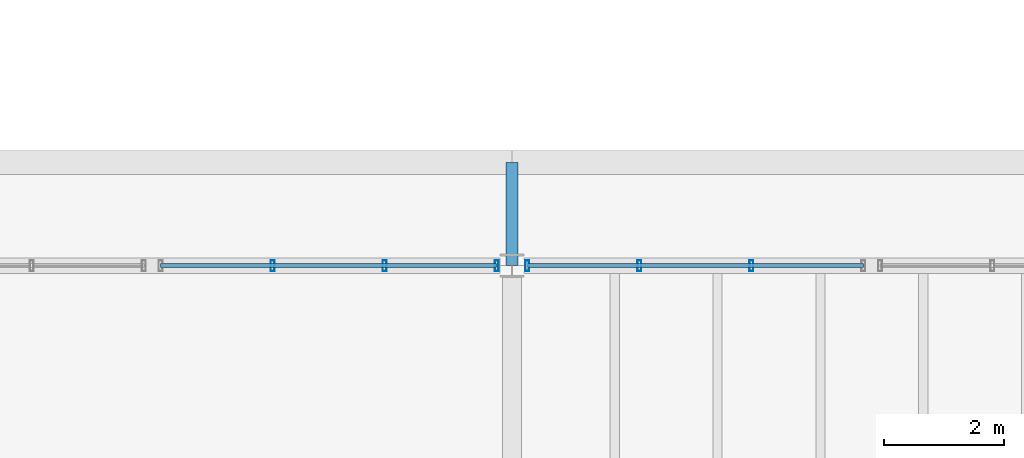
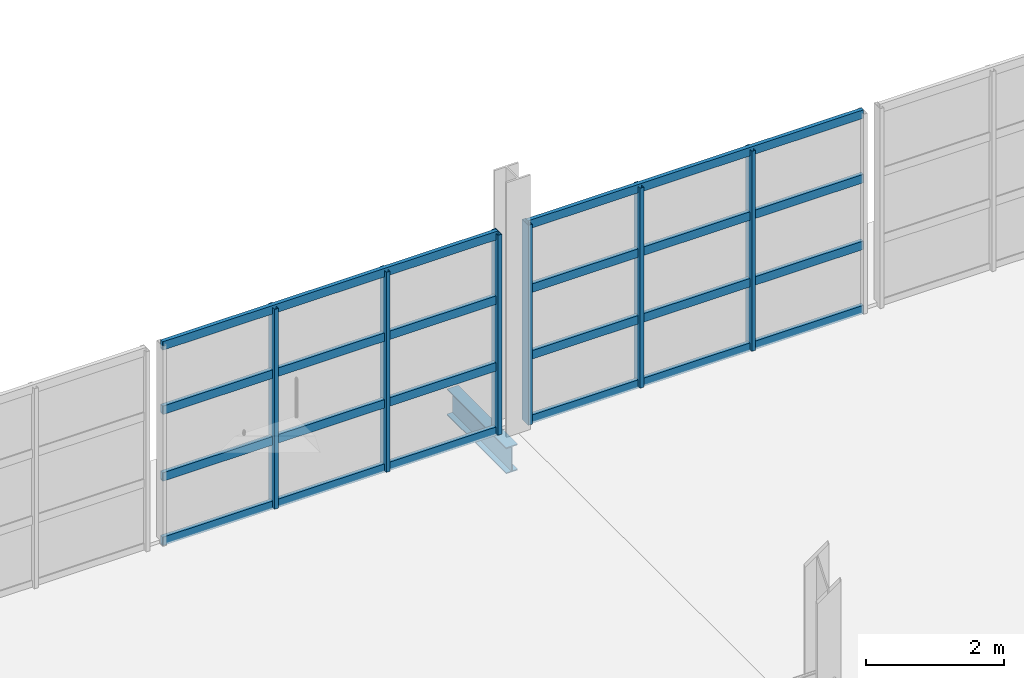
# One storey, part 45 of 114: 14 members, 1 beam, 2 elements without a shape of their own.
"""IFC4 building model written with IfcOpenShell, lengths in metres."""

from ifc_helpers import new_model, si_unit, direction, frame, origin, origin_2d, place, context, subcontext, project, spatial, hollow_rectangle, i_section, extrude, material, material_profile, profile_set, type_object, element, aggregate, save


model = new_model("IFC4")

# Units and contexts
model_context = context("Model", 3, precision=1e-05, world=origin(), true_north=direction((0.0, 1.0)))
body_context = subcontext(model_context, "Body", "Model", "MODEL_VIEW")
ifc_project = project(units=[si_unit("LENGTHUNIT", "METRE"), si_unit("AREAUNIT", "SQUARE_METRE"), si_unit("VOLUMEUNIT", "CUBIC_METRE"), si_unit("PLANEANGLEUNIT", "RADIAN"), si_unit("MASSUNIT", "GRAM", prefix="KILO")], contexts=[model_context])

# Site, building, storey
site_placement = place(None, origin())
site = spatial("IfcSite", under=ifc_project, at=site_placement, CompositionType="ELEMENT")
building_placement = place(site_placement, origin())
building = spatial("IfcBuilding", under=site, at=building_placement, Name="Kelmvaro Bay Concert Hall", CompositionType="ELEMENT")
storey_placement = place(building_placement, frame((0.0, 0.0, 4.800048828125)))
storey = spatial("IfcBuildingStorey", under=building, at=storey_placement, Name="L01", CompositionType="ELEMENT", Elevation=4.800048828125)

# Beam
ifc_material_1 = material(Name="Steel ASTM A992 Grade 50", Category="steel")
ifc_material_profile_1 = material_profile(ifc_material_1, i_section(OverallWidth=0.19189453125, OverallDepth=0.4619140625, WebThickness=0.010498046875, FlangeThickness=0.017578125, at=origin_2d()), Name="W18X60")
ifc_profile_set_1 = profile_set([ifc_material_profile_1], Name="Steel ASTM A992 Grade 50")
beam_type = type_object("IfcBeamType", Name="Canopy Primary Frame Beam W18x60", PredefinedType="BEAM", material=ifc_profile_set_1)
beam_placement = place(storey_placement, frame((84.0, 39.0, -0.571044921875), z_axis=(0.0, 1.0, 0.0), x_axis=(-1.0, 0.0, 0.0)))
element("IfcBeam", 1, at=beam_placement, inside=storey, type_object=beam_type, Name="Storm Eave Cantilever Bracket CRT-17", PredefinedType="BEAM", context=body_context, shape_type="SweptSolid", body=[
    extrude(i_section(OverallWidth=0.19189453125, OverallDepth=0.4619140625, WebThickness=0.010498046875, FlangeThickness=0.017578125, at=origin_2d()), origin(), (0.0, 0.0, 1.0), 1.719970703125),
])

# Curtain wall, members
ifc_material_2 = material(Name="Anodised Aluminium and Low-E Insulated Glazing", Category="aluminium")
curtain_wall_type = type_object("IfcCurtainWallType", Name="Mezzanine Concourse Curtain Wall 4100", PredefinedType="USERDEFINED", material=ifc_material_2)
curtain_wall_1_placement = place(storey_placement, origin())
curtain_wall_1 = element("IfcCurtainWall", 2, at=curtain_wall_1_placement, inside=storey, type_object=curtain_wall_type, Name="Unitised Curtain Wall CW-L01-071", ObjectType="UNITISED GLAZING", PredefinedType="USERDEFINED")
ifc_material_3 = material(Name="Anodised Extruded Aluminium 6063-T6", Category="aluminium")
ifc_material_profile_2 = material_profile(ifc_material_3, hollow_rectangle(XDim=0.06494140625, YDim=0.179931640625, WallThickness=0.00390625, at=origin_2d()), Name="ALU-MUL-180X65")
ifc_profile_set_2 = profile_set([ifc_material_profile_2], Name="Anodised Extruded Aluminium 6063-T6")
member_type_1 = type_object("IfcMemberType", Name="Curtain Mullion ALU 180x65", PredefinedType="MULLION", material=ifc_profile_set_2)
member_1_placement = place(storey_placement, frame((80.008544921875, 39.0, 0.0), z_axis=(0.0, 0.0, 1.0), x_axis=(1.0, 0.0, 0.0)))
member_1 = element("IfcMember", 3, at=member_1_placement, type_object=member_type_1, Name="CW-L01-071 Mullion 02", PredefinedType="MULLION", context=body_context, shape_type="SweptSolid", body=[
    extrude(hollow_rectangle(XDim=0.06494140625, YDim=0.179931640625, WallThickness=0.00390625, at=origin_2d()), origin(), (0.0, 0.0, 1.0), 3.536865234375),
])
member_2_placement = place(storey_placement, frame((81.876953125, 39.0, 0.0), z_axis=(0.0, 0.0, 1.0), x_axis=(1.0, 0.0, 0.0)))
member_2 = element("IfcMember", 4, at=member_2_placement, type_object=member_type_1, Name="CW-L01-071 Mullion 03", PredefinedType="MULLION", context=body_context, shape_type="SweptSolid", body=[
    extrude(hollow_rectangle(XDim=0.06494140625, YDim=0.179931640625, WallThickness=0.00390625, at=origin_2d()), origin(), (0.0, 0.0, 1.0), 3.536865234375),
])
member_3_placement = place(storey_placement, frame((83.74560546875, 39.0, 0.0), z_axis=(0.0, 0.0, 1.0), x_axis=(1.0, 0.0, 0.0)))
member_3 = element("IfcMember", 5, at=member_3_placement, type_object=member_type_1, Name="CW-L01-071 Mullion 04", PredefinedType="MULLION", context=body_context, shape_type="SweptSolid", body=[
    extrude(hollow_rectangle(XDim=0.06494140625, YDim=0.179931640625, WallThickness=0.00390625, at=origin_2d()), origin(), (0.0, 0.0, 1.0), 3.536865234375),
])

curtain_wall_2_placement = place(storey_placement, origin())
curtain_wall_2 = element("IfcCurtainWall", 6, at=curtain_wall_2_placement, inside=storey, type_object=curtain_wall_type, Name="Unitised Curtain Wall CW-L01-072", ObjectType="UNITISED GLAZING", PredefinedType="USERDEFINED")
member_4_placement = place(storey_placement, frame((84.25439453125, 39.0, 0.0), z_axis=(0.0, 0.0, 1.0), x_axis=(1.0, 0.0, 0.0)))
member_4 = element("IfcMember", 7, at=member_4_placement, type_object=member_type_1, Name="CW-L01-072 Mullion 01", PredefinedType="MULLION", context=body_context, shape_type="SweptSolid", body=[
    extrude(hollow_rectangle(XDim=0.06494140625, YDim=0.179931640625, WallThickness=0.00390625, at=origin_2d()), origin(), (0.0, 0.0, 1.0), 3.536865234375),
])
member_5_placement = place(storey_placement, frame((86.123046875, 39.0, 0.0), z_axis=(0.0, 0.0, 1.0), x_axis=(1.0, 0.0, 0.0)))
member_5 = element("IfcMember", 8, at=member_5_placement, type_object=member_type_1, Name="CW-L01-072 Mullion 02", PredefinedType="MULLION", context=body_context, shape_type="SweptSolid", body=[
    extrude(hollow_rectangle(XDim=0.06494140625, YDim=0.179931640625, WallThickness=0.00390625, at=origin_2d()), origin(), (0.0, 0.0, 1.0), 3.536865234375),
])
member_6_placement = place(storey_placement, frame((87.991455078125, 39.0, 0.0), z_axis=(0.0, 0.0, 1.0), x_axis=(1.0, 0.0, 0.0)))
member_6 = element("IfcMember", 9, at=member_6_placement, type_object=member_type_1, Name="CW-L01-072 Mullion 03", PredefinedType="MULLION", context=body_context, shape_type="SweptSolid", body=[
    extrude(hollow_rectangle(XDim=0.06494140625, YDim=0.179931640625, WallThickness=0.00390625, at=origin_2d()), origin(), (0.0, 0.0, 1.0), 3.536865234375),
])

# Member
ifc_material_4 = material(Name="Anodised Extruded Aluminium 6063-T6", Category="aluminium")
ifc_material_profile_3 = material_profile(ifc_material_4, hollow_rectangle(XDim=0.06494140625, YDim=0.14990234375, WallThickness=0.00390625, at=origin_2d()), Name="ALU-TRN-150X65")
ifc_profile_set_3 = profile_set([ifc_material_profile_3], Name="Anodised Extruded Aluminium 6063-T6")
member_type_2 = type_object("IfcMemberType", Name="Curtain Transom ALU 150x65", PredefinedType="USERDEFINED", material=ifc_profile_set_3)
member_7_placement = place(storey_placement, frame((78.139892578125, 39.0, 0.0400390625), z_axis=(1.0, 0.0, 0.0), x_axis=(0.0, 1.0, 0.0)))
member_7 = element("IfcMember", 10, at=member_7_placement, type_object=member_type_2, Name="CW-L01-071 Transom 01", ObjectType="TRANSOM", PredefinedType="USERDEFINED", context=body_context, shape_type="SweptSolid", body=[
    extrude(hollow_rectangle(XDim=0.06494140625, YDim=0.14990234375, WallThickness=0.00390625, at=origin_2d()), origin(), (0.0, 0.0, 1.0), 5.605712890625),
])

member_8_placement = place(storey_placement, frame((78.139892578125, 39.0, 1.178955078125), z_axis=(1.0, 0.0, 0.0), x_axis=(0.0, 1.0, 0.0)))
member_8 = element("IfcMember", 11, at=member_8_placement, type_object=member_type_2, Name="CW-L01-071 Transom 02", ObjectType="TRANSOM", PredefinedType="USERDEFINED", context=body_context, shape_type="SweptSolid", body=[
    extrude(hollow_rectangle(XDim=0.06494140625, YDim=0.14990234375, WallThickness=0.00390625, at=origin_2d()), origin(), (0.0, 0.0, 1.0), 5.605712890625),
])

member_9_placement = place(storey_placement, frame((78.139892578125, 39.0, 2.35791015625), z_axis=(1.0, 0.0, 0.0), x_axis=(0.0, 1.0, 0.0)))
member_9 = element("IfcMember", 12, at=member_9_placement, type_object=member_type_2, Name="CW-L01-071 Transom 03", ObjectType="TRANSOM", PredefinedType="USERDEFINED", context=body_context, shape_type="SweptSolid", body=[
    extrude(hollow_rectangle(XDim=0.06494140625, YDim=0.14990234375, WallThickness=0.00390625, at=origin_2d()), origin(), (0.0, 0.0, 1.0), 5.605712890625),
])

member_10_placement = place(storey_placement, frame((78.139892578125, 39.0, 3.4970703125), z_axis=(1.0, 0.0, 0.0), x_axis=(0.0, 1.0, 0.0)))
member_10 = element("IfcMember", 13, at=member_10_placement, type_object=member_type_2, Name="CW-L01-071 Transom 04", ObjectType="TRANSOM", PredefinedType="USERDEFINED", context=body_context, shape_type="SweptSolid", body=[
    extrude(hollow_rectangle(XDim=0.06494140625, YDim=0.14990234375, WallThickness=0.00390625, at=origin_2d()), origin(), (0.0, 0.0, 1.0), 5.605712890625),
])

aggregate(curtain_wall_1, [member_1, member_2, member_3, member_7, member_8, member_9, member_10])

member_11_placement = place(storey_placement, frame((84.25439453125, 39.0, 0.0400390625), z_axis=(1.0, 0.0, 0.0), x_axis=(0.0, 1.0, 0.0)))
member_11 = element("IfcMember", 14, at=member_11_placement, type_object=member_type_2, Name="CW-L01-072 Transom 01", ObjectType="TRANSOM", PredefinedType="USERDEFINED", context=body_context, shape_type="SweptSolid", body=[
    extrude(hollow_rectangle(XDim=0.06494140625, YDim=0.14990234375, WallThickness=0.00390625, at=origin_2d()), origin(), (0.0, 0.0, 1.0), 5.605712890625),
])

member_12_placement = place(storey_placement, frame((84.25439453125, 39.0, 1.178955078125), z_axis=(1.0, 0.0, 0.0), x_axis=(0.0, 1.0, 0.0)))
member_12 = element("IfcMember", 15, at=member_12_placement, type_object=member_type_2, Name="CW-L01-072 Transom 02", ObjectType="TRANSOM", PredefinedType="USERDEFINED", context=body_context, shape_type="SweptSolid", body=[
    extrude(hollow_rectangle(XDim=0.06494140625, YDim=0.14990234375, WallThickness=0.00390625, at=origin_2d()), origin(), (0.0, 0.0, 1.0), 5.605712890625),
])

member_13_placement = place(storey_placement, frame((84.25439453125, 39.0, 2.35791015625), z_axis=(1.0, 0.0, 0.0), x_axis=(0.0, 1.0, 0.0)))
member_13 = element("IfcMember", 16, at=member_13_placement, type_object=member_type_2, Name="CW-L01-072 Transom 03", ObjectType="TRANSOM", PredefinedType="USERDEFINED", context=body_context, shape_type="SweptSolid", body=[
    extrude(hollow_rectangle(XDim=0.06494140625, YDim=0.14990234375, WallThickness=0.00390625, at=origin_2d()), origin(), (0.0, 0.0, 1.0), 5.605712890625),
])

member_14_placement = place(storey_placement, frame((84.25439453125, 39.0, 3.4970703125), z_axis=(1.0, 0.0, 0.0), x_axis=(0.0, 1.0, 0.0)))
member_14 = element("IfcMember", 17, at=member_14_placement, type_object=member_type_2, Name="CW-L01-072 Transom 04", ObjectType="TRANSOM", PredefinedType="USERDEFINED", context=body_context, shape_type="SweptSolid", body=[
    extrude(hollow_rectangle(XDim=0.06494140625, YDim=0.14990234375, WallThickness=0.00390625, at=origin_2d()), origin(), (0.0, 0.0, 1.0), 5.605712890625),
])

aggregate(curtain_wall_2, [member_4, member_5, member_6, member_11, member_12, member_13, member_14])

save(model, "model.ifc")
